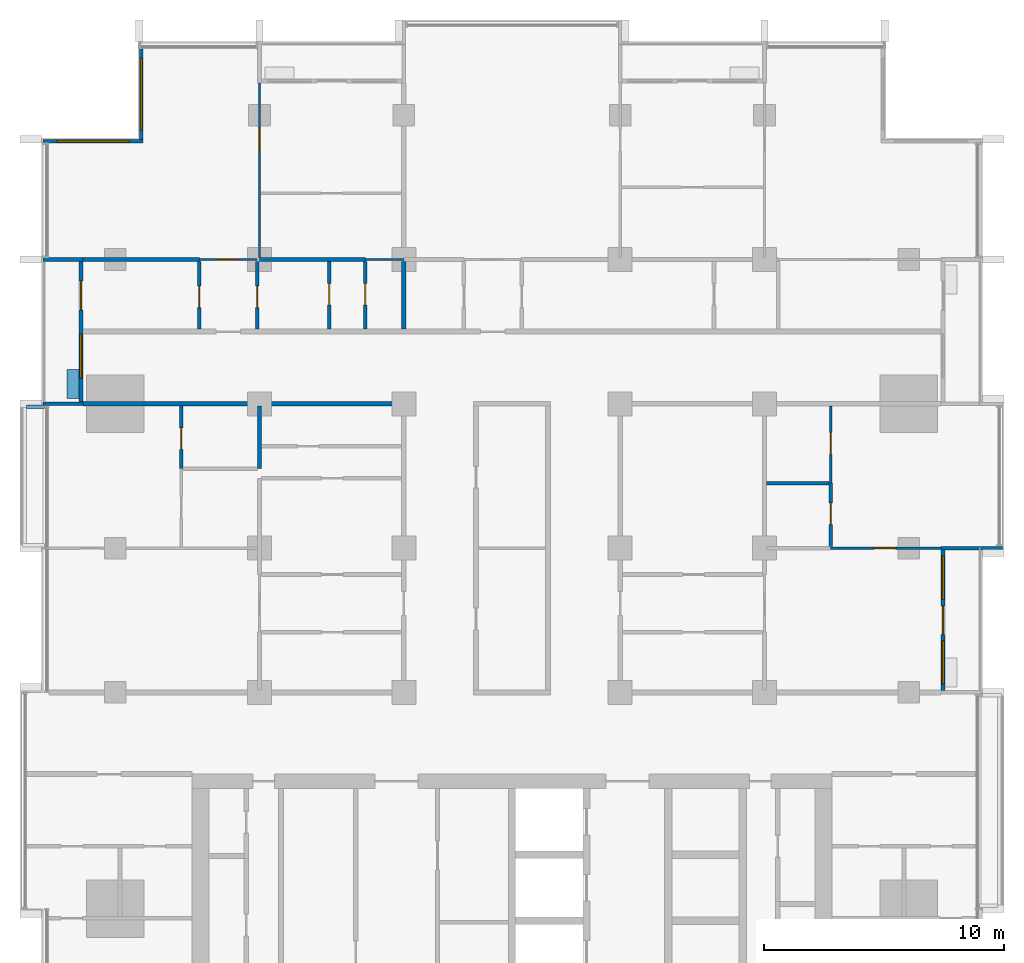
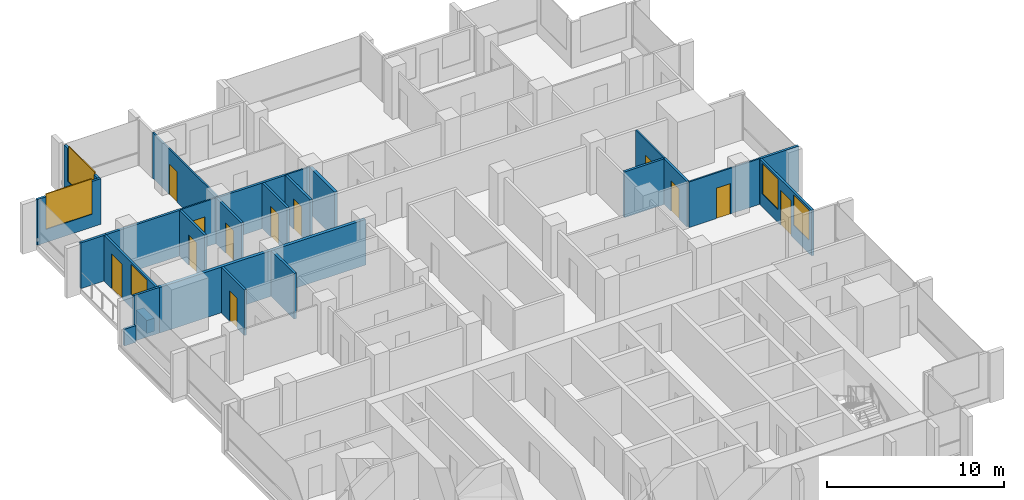
# One storey, part 10 of 17: 26 walls, 12 doors, 5 windows, 17 openings.
"""IFC4 building model written with IfcOpenShell, lengths in metres."""

from ifc_helpers import new_model, si_unit, direction, frame, frame_2d, origin, place, context, subcontext, project, spatial, rectangle, extrude, material, layer, layer_set, type_object, element, fill, save


model = new_model("IFC4")

# Units and contexts
model_context = context("Model", 3, precision=1e-05, world=origin(), true_north=direction((0.0, 1.0)))
body_context = subcontext(model_context, "Body", "Model", "MODEL_VIEW")
ifc_project = project(units=[si_unit("LENGTHUNIT", "METRE"), si_unit("AREAUNIT", "SQUARE_METRE"), si_unit("VOLUMEUNIT", "CUBIC_METRE"), si_unit("PLANEANGLEUNIT", "RADIAN"), si_unit("MASSUNIT", "GRAM", prefix="KILO")], contexts=[model_context])

# Site, building, storey
site_placement = place(None, origin())
site = spatial("IfcSite", under=ifc_project, at=site_placement, CompositionType="ELEMENT")
building_placement = place(site_placement, origin())
building = spatial("IfcBuilding", under=site, at=building_placement, Name="Finial Court Residences", CompositionType="ELEMENT")
storey_placement = place(building_placement, frame((0.0, 0.0, 196.10009765625)))
storey = spatial("IfcBuildingStorey", under=building, at=storey_placement, Name="L49", CompositionType="ELEMENT", Elevation=196.10009765625)

# Walls
ifc_material_1 = material(Name="Gypsum board")
ifc_layer_1 = layer(ifc_material_1, 0.02490234375)
ifc_material_2 = material(Name="Acoustic mineral wool in double frame")
ifc_layer_2 = layer(ifc_material_2, 0.14990234375)
ifc_layer_3 = layer(ifc_material_1, 0.02490234375)
ifc_layer_set_1 = layer_set([ifc_layer_1, ifc_layer_2, ifc_layer_3], Name="Acoustic party wall 200, 1 hour")
wall_type_1 = type_object("IfcWallType", Name="Acoustic party wall 200, 1 hour", PredefinedType="PARTITIONING", material=ifc_layer_set_1)
wall_1_placement = place(storey_placement, frame((-4.5, 10.60009765625, 0.0), z_axis=(0.0, 0.0, 1.0), x_axis=(0.0, 1.0, 0.0)))
element("IfcWall", 1, at=wall_1_placement, inside=storey, type_object=wall_type_1, Name="Partition L49-048", PredefinedType="PARTITIONING", context=body_context, shape_type="SweptSolid", body=[
    extrude(rectangle(XDim=2.824951171875, YDim=0.199951171875, at=frame_2d((1.41259765625, 0.0))), origin(), (0.0, 0.0, 1.0), 3.14990234375),
])
ifc_layer_4 = layer(ifc_material_1, 0.02490234375)
ifc_layer_5 = layer(ifc_material_2, 0.14990234375)
ifc_layer_6 = layer(ifc_material_1, 0.02490234375)
ifc_layer_set_2 = layer_set([ifc_layer_4, ifc_layer_5, ifc_layer_6], Name="Corridor wall 200, 1 hour")
wall_type_2 = type_object("IfcWallType", Name="Corridor wall 200, 1 hour", PredefinedType="PARTITIONING", material=ifc_layer_set_2)
wall_2_placement = place(storey_placement, frame((-17.85009765625, 7.5, 0.0), z_axis=(0.0, 0.0, 1.0), x_axis=(1.0, 0.0, 0.0)))
element("IfcWall", 2, at=wall_2_placement, inside=storey, type_object=wall_type_2, Name="Partition L49-021", PredefinedType="PARTITIONING", context=body_context, shape_type="SweptSolid", body=[
    extrude(rectangle(XDim=13.4501953125, YDim=0.199951171875, at=frame_2d((6.72509765625, 0.0))), origin(), (0.0, 0.0, 1.0), 3.14990234375),
])

# Wall, opening, door
ifc_layer_7 = layer(ifc_material_1, 0.012451171875)
ifc_material_3 = material(Name="Mineral wool in light-gauge frame")
ifc_layer_8 = layer(ifc_material_3, 0.074951171875)
ifc_layer_9 = layer(ifc_material_1, 0.012451171875)
ifc_layer_set_3 = layer_set([ifc_layer_7, ifc_layer_8, ifc_layer_9], Name="Gypsum board partition 100")
wall_type_3 = type_object("IfcWallType", Name="Gypsum board partition 100", PredefinedType="PARTITIONING", material=ifc_layer_set_3)
wall_3_placement = place(storey_placement, frame((13.25, 1.5, 0.0), z_axis=(0.0, 0.0, 1.0), x_axis=(1.0, 0.0, 0.0)))
wall_3 = element("IfcWall", 3, at=wall_3_placement, inside=storey, type_object=wall_type_3, Name="Partition L49-015", PredefinedType="PARTITIONING", context=body_context, shape_type="SweptSolid", body=[
    extrude(rectangle(XDim=4.60009765625, YDim=0.10009765625, at=frame_2d((2.300048828125, 0.0))), origin(), (0.0, 0.0, 1.0), 3.14990234375),
])
opening_1_placement = place(wall_3_placement, frame((1.800048828125, 0.0, 0.0)))
opening_1 = element("IfcOpeningElement", 4, at=opening_1_placement, cuts=wall_3, Name="Opening L49-D014", PredefinedType="OPENING", context=body_context, shape_type="SweptSolid", body=[
    extrude(rectangle(XDim=0.89990234375, YDim=2.10009765625, at=frame_2d((0.449951171875, 1.050048828125))), frame((0.0, 0.06005859375, 0.0), z_axis=(0.0, -1.0, 0.0), x_axis=(1.0, 0.0, 0.0)), (0.0, 0.0, 1.0), 0.1201171875),
])
ifc_material_4 = material(Name="Timber door leaf in timber frame", Category="wood")
door_type_1 = type_object("IfcDoorType", Name="Door set 900 x 2100", OperationType="SINGLE_SWING_LEFT", PredefinedType="DOOR", material=ifc_material_4)
door_1_placement = place(opening_1_placement, origin())
door_1 = element("IfcDoor", 5, at=door_1_placement, inside=storey, type_object=door_type_1, Name="Door L49-D014", OperationType="SINGLE_SWING_LEFT", OverallHeight=2.10009765625, OverallWidth=0.89990234375, PredefinedType="DOOR", context=body_context, shape_type="SweptSolid", body=[
    extrude(rectangle(XDim=0.89990234375, YDim=2.10009765625, at=frame_2d((0.449951171875, 1.050048828125))), frame((0.0, 0.02490234375, 0.0), z_axis=(0.0, -1.0, 0.0), x_axis=(1.0, 0.0, 0.0)), (0.0, 0.0, 1.0), 0.050048828125),
])
fill(opening_1, door_1)

wall_4_placement = place(storey_placement, frame((-13.0, 13.5, 0.0), z_axis=(0.0, 0.0, 1.0), x_axis=(1.0, 0.0, 0.0)))
wall_4 = element("IfcWall", 6, at=wall_4_placement, inside=storey, type_object=wall_type_3, Name="Partition L49-025", PredefinedType="PARTITIONING", context=body_context, shape_type="SweptSolid", body=[
    extrude(rectangle(XDim=2.39990234375, YDim=0.10009765625, at=frame_2d((1.199951171875, 0.0))), origin(), (0.0, 0.0, 1.0), 3.14990234375),
])
opening_2_placement = place(wall_4_placement, frame((0.699951171875, 0.0, 0.0)))
opening_2 = element("IfcOpeningElement", 7, at=opening_2_placement, cuts=wall_4, Name="Opening L49-D019", PredefinedType="OPENING", context=body_context, shape_type="SweptSolid", body=[
    extrude(rectangle(XDim=0.89990234375, YDim=2.10009765625, at=frame_2d((0.449951171875, 1.050048828125))), frame((0.0, 0.06005859375, 0.0), z_axis=(0.0, -1.0, 0.0), x_axis=(1.0, 0.0, 0.0)), (0.0, 0.0, 1.0), 0.1201171875),
])
door_2_placement = place(opening_2_placement, origin())
door_2 = element("IfcDoor", 8, at=door_2_placement, inside=storey, type_object=door_type_1, Name="Door L49-D019", OperationType="SINGLE_SWING_RIGHT", OverallHeight=2.10009765625, OverallWidth=0.89990234375, PredefinedType="DOOR", context=body_context, shape_type="SweptSolid", body=[
    extrude(rectangle(XDim=0.89990234375, YDim=2.10009765625, at=frame_2d((0.449951171875, 1.050048828125))), frame((0.0, 0.02490234375, 0.0), z_axis=(0.0, -1.0, 0.0), x_axis=(1.0, 0.0, 0.0)), (0.0, 0.0, 1.0), 0.050048828125),
])
fill(opening_2, door_2)

# Wall
wall_5_placement = place(storey_placement, frame((-6.10009765625, 13.5, 0.0), z_axis=(0.0, 0.0, 1.0), x_axis=(1.0, 0.0, 0.0)))
element("IfcWall", 9, at=wall_5_placement, inside=storey, type_object=wall_type_3, Name="Partition L49-026", PredefinedType="PARTITIONING", context=body_context, shape_type="SweptSolid", body=[
    extrude(rectangle(XDim=1.60009765625, YDim=0.10009765625, at=frame_2d((0.800048828125, 0.0))), origin(), (0.0, 0.0, 1.0), 3.14990234375),
])

# Wall, opening, door
wall_6_placement = place(storey_placement, frame((-10.5, 13.574951171875, 0.0), z_axis=(0.0, 0.0, 1.0), x_axis=(0.0, 1.0, 0.0)))
wall_6 = element("IfcWall", 10, at=wall_6_placement, inside=storey, type_object=wall_type_3, Name="Partition L49-041", PredefinedType="PARTITIONING", context=body_context, shape_type="SweptSolid", body=[
    extrude(rectangle(XDim=7.275146484375, YDim=0.10009765625, at=frame_2d((3.6376953125, 0.0))), origin(), (0.0, 0.0, 1.0), 3.14990234375),
])
opening_3_placement = place(wall_6_placement, frame((4.47509765625, 0.0, 0.0)))
opening_3 = element("IfcOpeningElement", 11, at=opening_3_placement, cuts=wall_6, Name="Opening L49-D029", PredefinedType="OPENING", context=body_context, shape_type="SweptSolid", body=[
    extrude(rectangle(XDim=0.89990234375, YDim=2.10009765625, at=frame_2d((0.449951171875, 1.050048828125))), frame((0.0, 0.06005859375, 0.0), z_axis=(0.0, -1.0, 0.0), x_axis=(1.0, 0.0, 0.0)), (0.0, 0.0, 1.0), 0.1201171875),
])
door_3_placement = place(opening_3_placement, origin())
door_3 = element("IfcDoor", 12, at=door_3_placement, inside=storey, type_object=door_type_1, Name="Door L49-D029", OperationType="SINGLE_SWING_RIGHT", OverallHeight=2.10009765625, OverallWidth=0.89990234375, PredefinedType="DOOR", context=body_context, shape_type="SweptSolid", body=[
    extrude(rectangle(XDim=0.89990234375, YDim=2.10009765625, at=frame_2d((0.449951171875, 1.050048828125))), frame((0.0, 0.02490234375, 0.0), z_axis=(0.0, -1.0, 0.0), x_axis=(1.0, 0.0, 0.0)), (0.0, 0.0, 1.0), 0.050048828125),
])
fill(opening_3, door_3)

wall_7_placement = place(storey_placement, frame((13.25, 4.199951171875, 0.0), z_axis=(0.0, 0.0, 1.0), x_axis=(0.0, 1.0, 0.0)))
wall_7 = element("IfcWall", 13, at=wall_7_placement, inside=storey, type_object=wall_type_3, Name="Partition L49-062", PredefinedType="PARTITIONING", context=body_context, shape_type="SweptSolid", body=[
    extrude(rectangle(XDim=3.199951171875, YDim=0.10009765625, at=frame_2d((1.60009765625, 0.0))), origin(), (0.0, 0.0, 1.0), 3.14990234375),
])
opening_4_placement = place(wall_7_placement, frame((1.199951171875, 0.0, 0.0)))
opening_4 = element("IfcOpeningElement", 14, at=opening_4_placement, cuts=wall_7, Name="Opening L49-D042", PredefinedType="OPENING", context=body_context, shape_type="SweptSolid", body=[
    extrude(rectangle(XDim=0.89990234375, YDim=2.10009765625, at=frame_2d((0.449951171875, 1.050048828125))), frame((0.0, 0.06005859375, 0.0), z_axis=(0.0, -1.0, 0.0), x_axis=(1.0, 0.0, 0.0)), (0.0, 0.0, 1.0), 0.1201171875),
])
door_4_placement = place(opening_4_placement, origin())
door_4 = element("IfcDoor", 15, at=door_4_placement, inside=storey, type_object=door_type_1, Name="Door L49-D042", OperationType="SINGLE_SWING_LEFT", OverallHeight=2.10009765625, OverallWidth=0.89990234375, PredefinedType="DOOR", context=body_context, shape_type="SweptSolid", body=[
    extrude(rectangle(XDim=0.89990234375, YDim=2.10009765625, at=frame_2d((0.449951171875, 1.050048828125))), frame((0.0, 0.02490234375, 0.0), z_axis=(0.0, -1.0, 0.0), x_axis=(1.0, 0.0, 0.0)), (0.0, 0.0, 1.0), 0.050048828125),
])
fill(opening_4, door_4)

# Walls
ifc_material_5 = material(Name="Moisture-resistant gypsum board")
ifc_layer_10 = layer(ifc_material_5, 0.012451171875)
ifc_layer_11 = layer(ifc_material_3, 0.125)
ifc_layer_12 = layer(ifc_material_5, 0.012451171875)
ifc_layer_set_4 = layer_set([ifc_layer_10, ifc_layer_11, ifc_layer_12], Name="Gypsum board wet-area partition 150")
wall_type_4 = type_object("IfcWallType", Name="Gypsum board wet-area partition 150", PredefinedType="PARTITIONING", material=ifc_layer_set_4)
wall_8_placement = place(storey_placement, frame((10.574951171875, 4.199951171875, 0.0), z_axis=(0.0, 0.0, 1.0), x_axis=(1.0, 0.0, 0.0)))
element("IfcWall", 16, at=wall_8_placement, inside=storey, type_object=wall_type_4, Name="Partition L49-017", PredefinedType="PARTITIONING", context=body_context, shape_type="SweptSolid", body=[
    extrude(rectangle(XDim=2.60009765625, YDim=0.14990234375, at=frame_2d((1.300048828125, 0.0))), origin(), (0.0, 0.0, 1.0), 3.14990234375),
])
wall_9_placement = place(storey_placement, frame((-17.85009765625, 13.5, 0.0), z_axis=(0.0, 0.0, 1.0), x_axis=(1.0, 0.0, 0.0)))
element("IfcWall", 17, at=wall_9_placement, inside=storey, type_object=wall_type_4, Name="Partition L49-029", PredefinedType="PARTITIONING", context=body_context, shape_type="SweptSolid", body=[
    extrude(rectangle(XDim=4.85009765625, YDim=0.14990234375, at=frame_2d((2.425048828125, 0.0))), origin(), (0.0, 0.0, 1.0), 3.14990234375),
])
wall_10_placement = place(storey_placement, frame((-10.5, 13.5, 0.0), z_axis=(0.0, 0.0, 1.0), x_axis=(1.0, 0.0, 0.0)))
element("IfcWall", 18, at=wall_10_placement, inside=storey, type_object=wall_type_4, Name="Partition L49-030", PredefinedType="PARTITIONING", context=body_context, shape_type="SweptSolid", body=[
    extrude(rectangle(XDim=4.39990234375, YDim=0.14990234375, at=frame_2d((2.199951171875, 0.0))), origin(), (0.0, 0.0, 1.0), 3.14990234375),
])

# Wall, opening, door
wall_11_placement = place(storey_placement, frame((-13.75, 4.800048828125, 0.0), z_axis=(0.0, 0.0, 1.0), x_axis=(0.0, 1.0, 0.0)))
wall_11 = element("IfcWall", 19, at=wall_11_placement, inside=storey, type_object=wall_type_4, Name="Partition L49-037", PredefinedType="PARTITIONING", context=body_context, shape_type="SweptSolid", body=[
    extrude(rectangle(XDim=2.599853515625, YDim=0.14990234375, at=frame_2d((1.2998046875, 0.0))), origin(), (0.0, 0.0, 1.0), 3.14990234375),
])
opening_5_placement = place(wall_11_placement, frame((0.800048828125, 0.0, 0.0)))
opening_5 = element("IfcOpeningElement", 20, at=opening_5_placement, cuts=wall_11, Name="Opening L49-D025", PredefinedType="OPENING", context=body_context, shape_type="SweptSolid", body=[
    extrude(rectangle(XDim=0.89990234375, YDim=2.10009765625, at=frame_2d((0.449951171875, 1.050048828125))), frame((0.0, 0.0849609375, 0.0), z_axis=(0.0, -1.0, 0.0), x_axis=(1.0, 0.0, 0.0)), (0.0, 0.0, 1.0), 0.169921875),
])
door_5_placement = place(opening_5_placement, origin())
door_5 = element("IfcDoor", 21, at=door_5_placement, inside=storey, type_object=door_type_1, Name="Door L49-D025", OperationType="SINGLE_SWING_LEFT", OverallHeight=2.10009765625, OverallWidth=0.89990234375, PredefinedType="DOOR", context=body_context, shape_type="SweptSolid", body=[
    extrude(rectangle(XDim=0.89990234375, YDim=2.10009765625, at=frame_2d((0.449951171875, 1.050048828125))), frame((0.0, 0.02490234375, 0.0), z_axis=(0.0, -1.0, 0.0), x_axis=(1.0, 0.0, 0.0)), (0.0, 0.0, 1.0), 0.050048828125),
])
fill(opening_5, door_5)

wall_12_placement = place(storey_placement, frame((-13.0, 10.60009765625, 0.0), z_axis=(0.0, 0.0, 1.0), x_axis=(0.0, 1.0, 0.0)))
wall_12 = element("IfcWall", 22, at=wall_12_placement, inside=storey, type_object=wall_type_4, Name="Partition L49-038", PredefinedType="PARTITIONING", context=body_context, shape_type="SweptSolid", body=[
    extrude(rectangle(XDim=2.824951171875, YDim=0.14990234375, at=frame_2d((1.41259765625, 0.0))), origin(), (0.0, 0.0, 1.0), 3.14990234375),
])
opening_6_placement = place(wall_12_placement, frame((0.89990234375, 0.0, 0.0)))
opening_6 = element("IfcOpeningElement", 23, at=opening_6_placement, cuts=wall_12, Name="Opening L49-D026", PredefinedType="OPENING", context=body_context, shape_type="SweptSolid", body=[
    extrude(rectangle(XDim=0.89990234375, YDim=2.10009765625, at=frame_2d((0.449951171875, 1.050048828125))), frame((0.0, 0.0849609375, 0.0), z_axis=(0.0, -1.0, 0.0), x_axis=(1.0, 0.0, 0.0)), (0.0, 0.0, 1.0), 0.169921875),
])
door_6_placement = place(opening_6_placement, origin())
door_6 = element("IfcDoor", 24, at=door_6_placement, inside=storey, type_object=door_type_1, Name="Door L49-D026", OperationType="SINGLE_SWING_RIGHT", OverallHeight=2.10009765625, OverallWidth=0.89990234375, PredefinedType="DOOR", context=body_context, shape_type="SweptSolid", body=[
    extrude(rectangle(XDim=0.89990234375, YDim=2.10009765625, at=frame_2d((0.449951171875, 1.050048828125))), frame((0.0, 0.02490234375, 0.0), z_axis=(0.0, -1.0, 0.0), x_axis=(1.0, 0.0, 0.0)), (0.0, 0.0, 1.0), 0.050048828125),
])
fill(opening_6, door_6)

wall_13_placement = place(storey_placement, frame((-10.60009765625, 10.60009765625, 0.0), z_axis=(0.0, 0.0, 1.0), x_axis=(0.0, 1.0, 0.0)))
wall_13 = element("IfcWall", 25, at=wall_13_placement, inside=storey, type_object=wall_type_4, Name="Partition L49-039", PredefinedType="PARTITIONING", context=body_context, shape_type="SweptSolid", body=[
    extrude(rectangle(XDim=2.824951171875, YDim=0.14990234375, at=frame_2d((1.41259765625, 0.0))), origin(), (0.0, 0.0, 1.0), 3.14990234375),
])
opening_7_placement = place(wall_13_placement, frame((0.89990234375, 0.0, 0.0)))
opening_7 = element("IfcOpeningElement", 26, at=opening_7_placement, cuts=wall_13, Name="Opening L49-D027", PredefinedType="OPENING", context=body_context, shape_type="SweptSolid", body=[
    extrude(rectangle(XDim=0.89990234375, YDim=2.10009765625, at=frame_2d((0.449951171875, 1.050048828125))), frame((0.0, 0.0849609375, 0.0), z_axis=(0.0, -1.0, 0.0), x_axis=(1.0, 0.0, 0.0)), (0.0, 0.0, 1.0), 0.169921875),
])
door_7_placement = place(opening_7_placement, origin())
door_7 = element("IfcDoor", 27, at=door_7_placement, inside=storey, type_object=door_type_1, Name="Door L49-D027", OperationType="SINGLE_SWING_LEFT", OverallHeight=2.10009765625, OverallWidth=0.89990234375, PredefinedType="DOOR", context=body_context, shape_type="SweptSolid", body=[
    extrude(rectangle(XDim=0.89990234375, YDim=2.10009765625, at=frame_2d((0.449951171875, 1.050048828125))), frame((0.0, 0.02490234375, 0.0), z_axis=(0.0, -1.0, 0.0), x_axis=(1.0, 0.0, 0.0)), (0.0, 0.0, 1.0), 0.050048828125),
])
fill(opening_7, door_7)

# Wall
wall_14_placement = place(storey_placement, frame((-10.5, 4.800048828125, 0.0), z_axis=(0.0, 0.0, 1.0), x_axis=(0.0, 1.0, 0.0)))
element("IfcWall", 28, at=wall_14_placement, inside=storey, type_object=wall_type_4, Name="Partition L49-044", PredefinedType="PARTITIONING", context=body_context, shape_type="SweptSolid", body=[
    extrude(rectangle(XDim=2.599853515625, YDim=0.14990234375, at=frame_2d((1.2998046875, 0.0))), origin(), (0.0, 0.0, 1.0), 3.14990234375),
])

# Wall, opening, door
wall_15_placement = place(storey_placement, frame((-7.60009765625, 10.60009765625, 0.0), z_axis=(0.0, 0.0, 1.0), x_axis=(0.0, 1.0, 0.0)))
wall_15 = element("IfcWall", 29, at=wall_15_placement, inside=storey, type_object=wall_type_4, Name="Partition L49-045", PredefinedType="PARTITIONING", context=body_context, shape_type="SweptSolid", body=[
    extrude(rectangle(XDim=2.824951171875, YDim=0.14990234375, at=frame_2d((1.41259765625, 0.0))), origin(), (0.0, 0.0, 1.0), 3.14990234375),
])
opening_8_placement = place(wall_15_placement, frame((1.0, 0.0, 0.0)))
opening_8 = element("IfcOpeningElement", 30, at=opening_8_placement, cuts=wall_15, Name="Opening L49-D030", PredefinedType="OPENING", context=body_context, shape_type="SweptSolid", body=[
    extrude(rectangle(XDim=0.89990234375, YDim=2.10009765625, at=frame_2d((0.449951171875, 1.050048828125))), frame((0.0, 0.0849609375, 0.0), z_axis=(0.0, -1.0, 0.0), x_axis=(1.0, 0.0, 0.0)), (0.0, 0.0, 1.0), 0.169921875),
])
door_8_placement = place(opening_8_placement, origin())
door_8 = element("IfcDoor", 31, at=door_8_placement, inside=storey, type_object=door_type_1, Name="Door L49-D030", OperationType="SINGLE_SWING_LEFT", OverallHeight=2.10009765625, OverallWidth=0.89990234375, PredefinedType="DOOR", context=body_context, shape_type="SweptSolid", body=[
    extrude(rectangle(XDim=0.89990234375, YDim=2.10009765625, at=frame_2d((0.449951171875, 1.050048828125))), frame((0.0, 0.02490234375, 0.0), z_axis=(0.0, -1.0, 0.0), x_axis=(1.0, 0.0, 0.0)), (0.0, 0.0, 1.0), 0.050048828125),
])
fill(opening_8, door_8)

wall_16_placement = place(storey_placement, frame((-6.10009765625, 10.60009765625, 0.0), z_axis=(0.0, 0.0, 1.0), x_axis=(0.0, 1.0, 0.0)))
wall_16 = element("IfcWall", 32, at=wall_16_placement, inside=storey, type_object=wall_type_4, Name="Partition L49-046", PredefinedType="PARTITIONING", context=body_context, shape_type="SweptSolid", body=[
    extrude(rectangle(XDim=2.824951171875, YDim=0.14990234375, at=frame_2d((1.41259765625, 0.0))), origin(), (0.0, 0.0, 1.0), 3.14990234375),
])
opening_9_placement = place(wall_16_placement, frame((1.0, 0.0, 0.0)))
opening_9 = element("IfcOpeningElement", 33, at=opening_9_placement, cuts=wall_16, Name="Opening L49-D031", PredefinedType="OPENING", context=body_context, shape_type="SweptSolid", body=[
    extrude(rectangle(XDim=0.89990234375, YDim=2.10009765625, at=frame_2d((0.449951171875, 1.050048828125))), frame((0.0, 0.0849609375, 0.0), z_axis=(0.0, -1.0, 0.0), x_axis=(1.0, 0.0, 0.0)), (0.0, 0.0, 1.0), 0.169921875),
])
door_9_placement = place(opening_9_placement, origin())
door_9 = element("IfcDoor", 34, at=door_9_placement, inside=storey, type_object=door_type_1, Name="Door L49-D031", OperationType="SINGLE_SWING_LEFT", OverallHeight=2.10009765625, OverallWidth=0.89990234375, PredefinedType="DOOR", context=body_context, shape_type="SweptSolid", body=[
    extrude(rectangle(XDim=0.89990234375, YDim=2.10009765625, at=frame_2d((0.449951171875, 1.050048828125))), frame((0.0, 0.02490234375, 0.0), z_axis=(0.0, -1.0, 0.0), x_axis=(1.0, 0.0, 0.0)), (0.0, 0.0, 1.0), 0.050048828125),
])
fill(opening_9, door_9)

wall_17_placement = place(storey_placement, frame((13.25, 1.574951171875, 0.0), z_axis=(0.0, 0.0, 1.0), x_axis=(0.0, 1.0, 0.0)))
wall_17 = element("IfcWall", 35, at=wall_17_placement, inside=storey, type_object=wall_type_4, Name="Partition L49-063", PredefinedType="PARTITIONING", context=body_context, shape_type="SweptSolid", body=[
    extrude(rectangle(XDim=2.625, YDim=0.14990234375, at=frame_2d((1.3125, 0.0))), origin(), (0.0, 0.0, 1.0), 3.14990234375),
])
opening_10_placement = place(wall_17_placement, frame((0.89990234375, 0.0, 0.0)))
opening_10 = element("IfcOpeningElement", 36, at=opening_10_placement, cuts=wall_17, Name="Opening L49-D043", PredefinedType="OPENING", context=body_context, shape_type="SweptSolid", body=[
    extrude(rectangle(XDim=0.89990234375, YDim=2.10009765625, at=frame_2d((0.449951171875, 1.050048828125))), frame((0.0, 0.0849609375, 0.0), z_axis=(0.0, -1.0, 0.0), x_axis=(1.0, 0.0, 0.0)), (0.0, 0.0, 1.0), 0.169921875),
])
door_10_placement = place(opening_10_placement, origin())
door_10 = element("IfcDoor", 37, at=door_10_placement, inside=storey, type_object=door_type_1, Name="Door L49-D043", OperationType="SINGLE_SWING_RIGHT", OverallHeight=2.10009765625, OverallWidth=0.89990234375, PredefinedType="DOOR", context=body_context, shape_type="SweptSolid", body=[
    extrude(rectangle(XDim=0.89990234375, YDim=2.10009765625, at=frame_2d((0.449951171875, 1.050048828125))), frame((0.0, 0.02490234375, 0.0), z_axis=(0.0, -1.0, 0.0), x_axis=(1.0, 0.0, 0.0)), (0.0, 0.0, 1.0), 0.050048828125),
])
fill(opening_10, door_10)

# Wall
ifc_material_6 = material(Name="Concrete C35/45", Category="concrete")
ifc_layer_13 = layer(ifc_material_6, 0.14990234375)
ifc_layer_set_5 = layer_set([ifc_layer_13], Name="Ledge parapet, Concrete C35/45 150")
wall_type_5 = type_object("IfcWallType", Name="Ledge parapet, Concrete C35/45 150", PredefinedType="PARAPET", material=ifc_layer_set_5)
wall_18_placement = place(storey_placement, frame((-20.199951171875, 7.375, 0.0), z_axis=(0.0, 0.0, 1.0), x_axis=(1.0, 0.0, 0.0)))
element("IfcWall", 38, at=wall_18_placement, inside=storey, type_object=wall_type_5, Name="E-L49-LED1-P3", PredefinedType="PARAPET", context=body_context, shape_type="SweptSolid", body=[
    extrude(rectangle(XDim=0.75244140625, YDim=0.14990234375, at=frame_2d((0.376220703125, 0.0))), origin(), (0.0, 0.0, 1.0), 1.14990234375),
])

# Wall, opening, window
ifc_material_7 = material(Name="Natural limestone", Category="masonry")
ifc_layer_14 = layer(ifc_material_7, 0.14990234375)
ifc_layer_set_6 = layer_set([ifc_layer_14], Name="Limestone clad wall 150")
wall_type_6 = type_object("IfcWallType", Name="Limestone clad wall 150", PredefinedType="SOLIDWALL", material=ifc_layer_set_6)
wall_19_placement = place(storey_placement, frame((-15.425048828125, 18.5, 0.0), z_axis=(0.0, 0.0, 1.0), x_axis=(0.0, 1.0, 0.0)))
wall_19 = element("IfcWall", 39, at=wall_19_placement, inside=storey, type_object=wall_type_6, Name="E-L49-NWW17", PredefinedType="SOLIDWALL", context=body_context, shape_type="SweptSolid", body=[
    extrude(rectangle(XDim=3.762451171875, YDim=0.14990234375, at=frame_2d((1.88134765625, 0.0))), origin(), (0.0, 0.0, 1.0), 3.14990234375),
])
opening_11_placement = place(wall_19_placement, frame((0.4013671875, 0.0, 0.89990234375)))
opening_11 = element("IfcOpeningElement", 40, at=opening_11_placement, cuts=wall_19, Name="Opening WE49-05", PredefinedType="OPENING", context=body_context, shape_type="SweptSolid", body=[
    extrude(rectangle(XDim=2.9599609375, YDim=2.39990234375, at=frame_2d((1.47998046875, 1.199951171875))), frame((0.0, 0.0849609375, 0.0), z_axis=(0.0, -1.0, 0.0), x_axis=(1.0, 0.0, 0.0)), (0.0, 0.0, 1.0), 0.169921875),
])
ifc_material_8 = material(Name="Clear low-e glass", Category="glass")
window_type_1 = type_object("IfcWindowType", Name="Corner window 2960 x 2400", PartitioningType="SINGLE_PANEL", PredefinedType="WINDOW", material=ifc_material_8)
window_1_placement = place(opening_11_placement, origin())
window_1 = element("IfcWindow", 41, at=window_1_placement, inside=storey, type_object=window_type_1, Name="E-L49-NWW17-W1", OverallHeight=2.39990234375, OverallWidth=2.9599609375, PartitioningType="SINGLE_PANEL", PredefinedType="WINDOW", context=body_context, shape_type="SweptSolid", body=[
    extrude(rectangle(XDim=2.9599609375, YDim=2.39990234375, at=frame_2d((1.47998046875, 1.199951171875))), frame((0.0, 0.030029296875, 0.0), z_axis=(0.0, -1.0, 0.0), x_axis=(1.0, 0.0, 0.0)), (0.0, 0.0, 1.0), 0.06005859375),
])
fill(opening_11, window_1)

wall_20_placement = place(storey_placement, frame((-19.5, 18.425048828125, 0.0), z_axis=(0.0, 0.0, 1.0), x_axis=(1.0, 0.0, 0.0)))
wall_20 = element("IfcWall", 42, at=wall_20_placement, inside=storey, type_object=wall_type_6, Name="E-L49-NWN18", PredefinedType="SOLIDWALL", context=body_context, shape_type="SweptSolid", body=[
    extrude(rectangle(XDim=4.14990234375, YDim=0.14990234375, at=frame_2d((2.074951171875, 0.0))), origin(), (0.0, 0.0, 1.0), 3.14990234375),
])
opening_12_placement = place(wall_20_placement, frame((0.574951171875, 0.0, 0.89990234375)))
opening_12 = element("IfcOpeningElement", 43, at=opening_12_placement, cuts=wall_20, Name="Opening WE49-06", PredefinedType="OPENING", context=body_context, shape_type="SweptSolid", body=[
    extrude(rectangle(XDim=3.0, YDim=2.39990234375, at=frame_2d((1.5, 1.199951171875))), frame((0.0, 0.0849609375, 0.0), z_axis=(0.0, -1.0, 0.0), x_axis=(1.0, 0.0, 0.0)), (0.0, 0.0, 1.0), 0.169921875),
])
window_type_2 = type_object("IfcWindowType", Name="Corner window 3000 x 2400", PartitioningType="SINGLE_PANEL", PredefinedType="WINDOW", material=ifc_material_8)
window_2_placement = place(opening_12_placement, origin())
window_2 = element("IfcWindow", 44, at=window_2_placement, inside=storey, type_object=window_type_2, Name="E-L49-NWN18-W1", OverallHeight=2.39990234375, OverallWidth=3.0, PartitioningType="SINGLE_PANEL", PredefinedType="WINDOW", context=body_context, shape_type="SweptSolid", body=[
    extrude(rectangle(XDim=3.0, YDim=2.39990234375, at=frame_2d((1.5, 1.199951171875))), frame((0.0, 0.030029296875, 0.0), z_axis=(0.0, -1.0, 0.0), x_axis=(1.0, 0.0, 0.0)), (0.0, 0.0, 1.0), 0.06005859375),
])
fill(opening_12, window_2)

# Wall
wall_21_placement = place(storey_placement, frame((17.85009765625, 1.5, 0.0), z_axis=(0.0, 0.0, 1.0), x_axis=(1.0, 0.0, 0.0)))
element("IfcWall", 45, at=wall_21_placement, inside=storey, type_object=wall_type_6, Name="E-L49-BALE3-P2", PredefinedType="SOLIDWALL", context=body_context, shape_type="SweptSolid", body=[
    extrude(rectangle(XDim=2.5498046875, YDim=0.14990234375, at=frame_2d((1.27490234375, 0.0))), origin(), (0.0, 0.0, 1.0), 3.14990234375),
])

# Wall, openings, door, windows
wall_22_placement = place(storey_placement, frame((17.925048828125, 1.425048828125, 0.0), z_axis=(0.0, 0.0, 1.0), x_axis=(0.0, -1.0, 0.0)))
wall_22 = element("IfcWall", 46, at=wall_22_placement, inside=storey, type_object=wall_type_6, Name="E-L49-L49-BALE3-W", PredefinedType="SOLIDWALL", context=body_context, shape_type="SweptSolid", body=[
    extrude(rectangle(XDim=5.85009765625, YDim=0.14990234375, at=frame_2d((2.925048828125, 0.0))), origin(), (0.0, 0.0, 1.0), 3.14990234375),
])
opening_13_placement = place(wall_22_placement, frame((2.324951171875, 0.0, 0.0)))
opening_13 = element("IfcOpeningElement", 47, at=opening_13_placement, cuts=wall_22, Name="Opening DE49-03", PredefinedType="OPENING", context=body_context, shape_type="SweptSolid", body=[
    extrude(rectangle(XDim=1.199951171875, YDim=2.39990234375, at=frame_2d((0.60009765625, 1.199951171875))), frame((0.0, 0.0849609375, 0.0), z_axis=(0.0, -1.0, 0.0), x_axis=(1.0, 0.0, 0.0)), (0.0, 0.0, 1.0), 0.169921875),
])
opening_14_placement = place(wall_22_placement, frame((3.78759765625, 0.0, 0.89990234375)))
opening_14 = element("IfcOpeningElement", 48, at=opening_14_placement, cuts=wall_22, Name="Opening WE49-13", PredefinedType="OPENING", context=body_context, shape_type="SweptSolid", body=[
    extrude(rectangle(XDim=1.800048828125, YDim=2.10009765625, at=frame_2d((0.89990234375, 1.050048828125))), frame((0.0, 0.0849609375, 0.0), z_axis=(0.0, -1.0, 0.0), x_axis=(1.0, 0.0, 0.0)), (0.0, 0.0, 1.0), 0.169921875),
])
opening_15_placement = place(wall_22_placement, frame((0.262451171875, 0.0, 0.89990234375)))
opening_15 = element("IfcOpeningElement", 49, at=opening_15_placement, cuts=wall_22, Name="Opening WE49-14", PredefinedType="OPENING", context=body_context, shape_type="SweptSolid", body=[
    extrude(rectangle(XDim=1.800048828125, YDim=2.10009765625, at=frame_2d((0.89990234375, 1.050048828125))), frame((0.0, 0.0849609375, 0.0), z_axis=(0.0, -1.0, 0.0), x_axis=(1.0, 0.0, 0.0)), (0.0, 0.0, 1.0), 0.169921875),
])
ifc_material_9 = material(Name="Bronze anodised aluminium", Category="aluminium")
door_type_2 = type_object("IfcDoorType", Name="Balcony door 1200 x 2400", OperationType="SINGLE_SWING_LEFT", PredefinedType="DOOR", material=ifc_material_9)
door_11_placement = place(opening_13_placement, origin())
door_11 = element("IfcDoor", 50, at=door_11_placement, inside=storey, type_object=door_type_2, Name="E-L49-L49-BALE3-W-D", OperationType="SINGLE_SWING_RIGHT", OverallHeight=2.39990234375, OverallWidth=1.199951171875, PredefinedType="DOOR", context=body_context, shape_type="SweptSolid", body=[
    extrude(rectangle(XDim=1.199951171875, YDim=2.39990234375, at=frame_2d((0.60009765625, 1.199951171875))), frame((0.0, 0.02490234375, 0.0), z_axis=(0.0, -1.0, 0.0), x_axis=(1.0, 0.0, 0.0)), (0.0, 0.0, 1.0), 0.050048828125),
])
fill(opening_13, door_11)
window_type_3 = type_object("IfcWindowType", Name="Balcony window 1800 x 2100", PartitioningType="SINGLE_PANEL", PredefinedType="WINDOW", material=ifc_material_8)
window_3_placement = place(opening_14_placement, origin())
window_3 = element("IfcWindow", 51, at=window_3_placement, inside=storey, type_object=window_type_3, Name="E-L49-L49-BALE3-W-W1", OverallHeight=2.10009765625, OverallWidth=1.800048828125, PartitioningType="SINGLE_PANEL", PredefinedType="WINDOW", context=body_context, shape_type="SweptSolid", body=[
    extrude(rectangle(XDim=1.800048828125, YDim=2.10009765625, at=frame_2d((0.89990234375, 1.050048828125))), frame((0.0, 0.030029296875, 0.0), z_axis=(0.0, -1.0, 0.0), x_axis=(1.0, 0.0, 0.0)), (0.0, 0.0, 1.0), 0.06005859375),
])
fill(opening_14, window_3)
window_4_placement = place(opening_15_placement, origin())
window_4 = element("IfcWindow", 52, at=window_4_placement, inside=storey, type_object=window_type_3, Name="E-L49-L49-BALE3-W-W2", OverallHeight=2.10009765625, OverallWidth=1.800048828125, PartitioningType="SINGLE_PANEL", PredefinedType="WINDOW", context=body_context, shape_type="SweptSolid", body=[
    extrude(rectangle(XDim=1.800048828125, YDim=2.10009765625, at=frame_2d((0.89990234375, 1.050048828125))), frame((0.0, 0.030029296875, 0.0), z_axis=(0.0, -1.0, 0.0), x_axis=(1.0, 0.0, 0.0)), (0.0, 0.0, 1.0), 0.06005859375),
])
fill(opening_15, window_4)

# Walls
for number, where, z_axis, x_axis, name in (
    (53, (-17.85009765625, 7.5, 0.0), (0.0, 0.0, 1.0), (-1.0, 0.0, 0.0), "E-L49-BALW5-P1"),
    (54, (-17.85009765625, 13.5, 0.0), (0.0, 0.0, 1.0), (-1.0, 0.0, 0.0), "E-L49-BALW5-P2"),
):
    element("IfcWall", number, at=place(storey_placement, frame(where, z_axis=z_axis, x_axis=x_axis)), inside=storey, type_object=wall_type_6, Name=name, PredefinedType="SOLIDWALL", context=body_context, shape_type="SweptSolid", body=[
        extrude(rectangle(XDim=1.64990234375, YDim=0.14990234375, at=frame_2d((0.824951171875, 0.0))), origin(), (0.0, 0.0, 1.0), 3.14990234375),
    ])

# Wall, openings, door, window
wall_23_placement = place(storey_placement, frame((-17.925048828125, 7.574951171875, 0.0), z_axis=(0.0, 0.0, 1.0), x_axis=(0.0, 1.0, 0.0)))
wall_23 = element("IfcWall", 55, at=wall_23_placement, inside=storey, type_object=wall_type_6, Name="E-L49-L49-BALW5-W", PredefinedType="SOLIDWALL", context=body_context, shape_type="SweptSolid", body=[
    extrude(rectangle(XDim=5.85009765625, YDim=0.14990234375, at=frame_2d((2.925048828125, 0.0))), origin(), (0.0, 0.0, 1.0), 3.14990234375),
])
opening_16_placement = place(wall_23_placement, frame((3.824951171875, 0.0, 0.0)))
opening_16 = element("IfcOpeningElement", 56, at=opening_16_placement, cuts=wall_23, Name="Opening DE49-05", PredefinedType="OPENING", context=body_context, shape_type="SweptSolid", body=[
    extrude(rectangle(XDim=1.199951171875, YDim=2.39990234375, at=frame_2d((0.60009765625, 1.199951171875))), frame((0.0, 0.0849609375, 0.0), z_axis=(0.0, -1.0, 0.0), x_axis=(1.0, 0.0, 0.0)), (0.0, 0.0, 1.0), 0.169921875),
])
opening_17_placement = place(wall_23_placement, frame((1.012451171875, 0.0, 0.89990234375)))
opening_17 = element("IfcOpeningElement", 57, at=opening_17_placement, cuts=wall_23, Name="Opening WE49-16", PredefinedType="OPENING", context=body_context, shape_type="SweptSolid", body=[
    extrude(rectangle(XDim=1.800048828125, YDim=2.10009765625, at=frame_2d((0.89990234375, 1.050048828125))), frame((0.0, 0.0849609375, 0.0), z_axis=(0.0, -1.0, 0.0), x_axis=(1.0, 0.0, 0.0)), (0.0, 0.0, 1.0), 0.169921875),
])
door_12_placement = place(opening_16_placement, origin())
door_12 = element("IfcDoor", 58, at=door_12_placement, inside=storey, type_object=door_type_2, Name="E-L49-L49-BALW5-W-D", OperationType="SINGLE_SWING_RIGHT", OverallHeight=2.39990234375, OverallWidth=1.199951171875, PredefinedType="DOOR", context=body_context, shape_type="SweptSolid", body=[
    extrude(rectangle(XDim=1.199951171875, YDim=2.39990234375, at=frame_2d((0.60009765625, 1.199951171875))), frame((0.0, 0.02490234375, 0.0), z_axis=(0.0, -1.0, 0.0), x_axis=(1.0, 0.0, 0.0)), (0.0, 0.0, 1.0), 0.050048828125),
])
fill(opening_16, door_12)
window_5_placement = place(opening_17_placement, origin())
window_5 = element("IfcWindow", 59, at=window_5_placement, inside=storey, type_object=window_type_3, Name="E-L49-L49-BALW5-W-W1", OverallHeight=2.10009765625, OverallWidth=1.800048828125, PartitioningType="SINGLE_PANEL", PredefinedType="WINDOW", context=body_context, shape_type="SweptSolid", body=[
    extrude(rectangle(XDim=1.800048828125, YDim=2.10009765625, at=frame_2d((0.89990234375, 1.050048828125))), frame((0.0, 0.030029296875, 0.0), z_axis=(0.0, -1.0, 0.0), x_axis=(1.0, 0.0, 0.0)), (0.0, 0.0, 1.0), 0.06005859375),
])
fill(opening_17, window_5)

# Wall
ifc_material_10 = material(Name="Concrete C40/50", Category="concrete")
ifc_layer_15 = layer(ifc_material_10, 0.10009765625)
ifc_material_11 = material(Name="Planting soil", Category="soil")
ifc_layer_16 = layer(ifc_material_11, 0.300048828125)
ifc_layer_17 = layer(ifc_material_10, 0.10009765625)
ifc_layer_set_7 = layer_set([ifc_layer_15, ifc_layer_16, ifc_layer_17], Name="Planter wall, balcony")
wall_type_7 = type_object("IfcWallType", Name="Planter wall, balcony", PredefinedType="USERDEFINED", material=ifc_layer_set_7)
wall_24_placement = place(storey_placement, frame((-18.25, 7.72509765625, 0.0), z_axis=(0.0, 0.0, 1.0), x_axis=(0.0, 1.0, 0.0)))
element("IfcWall", 60, at=wall_24_placement, inside=storey, type_object=wall_type_7, Name="E-L49-BALW5-PL", ObjectType="PLANTER", PredefinedType="USERDEFINED", context=body_context, shape_type="SweptSolid", body=[
    extrude(rectangle(XDim=1.199951171875, YDim=0.5, at=frame_2d((0.60009765625, 0.0))), origin(), (0.0, 0.0, 1.0), 0.89990234375),
])

save(model, "model.ifc")
